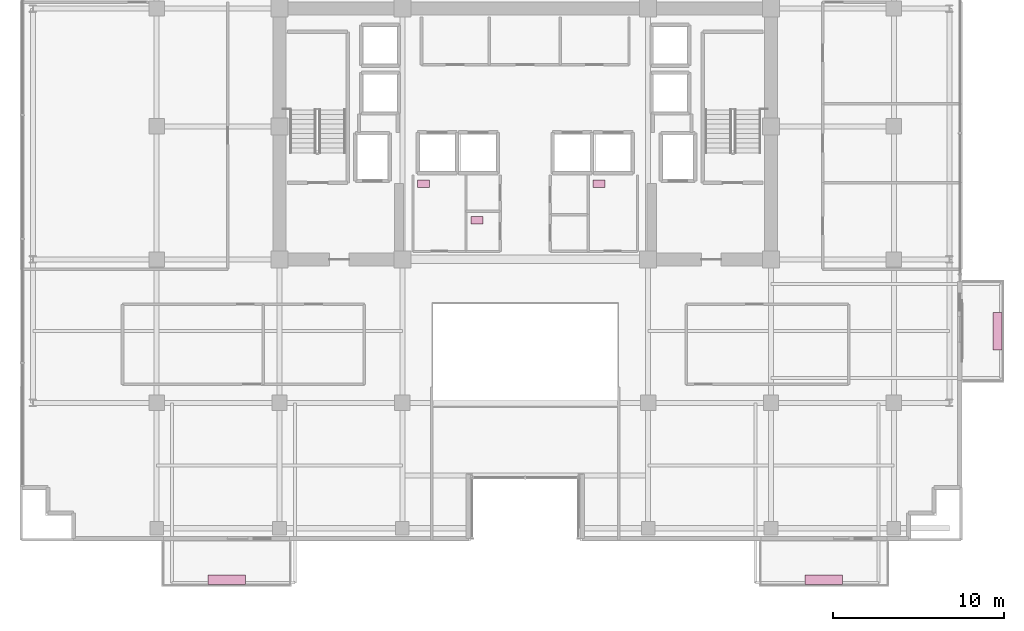
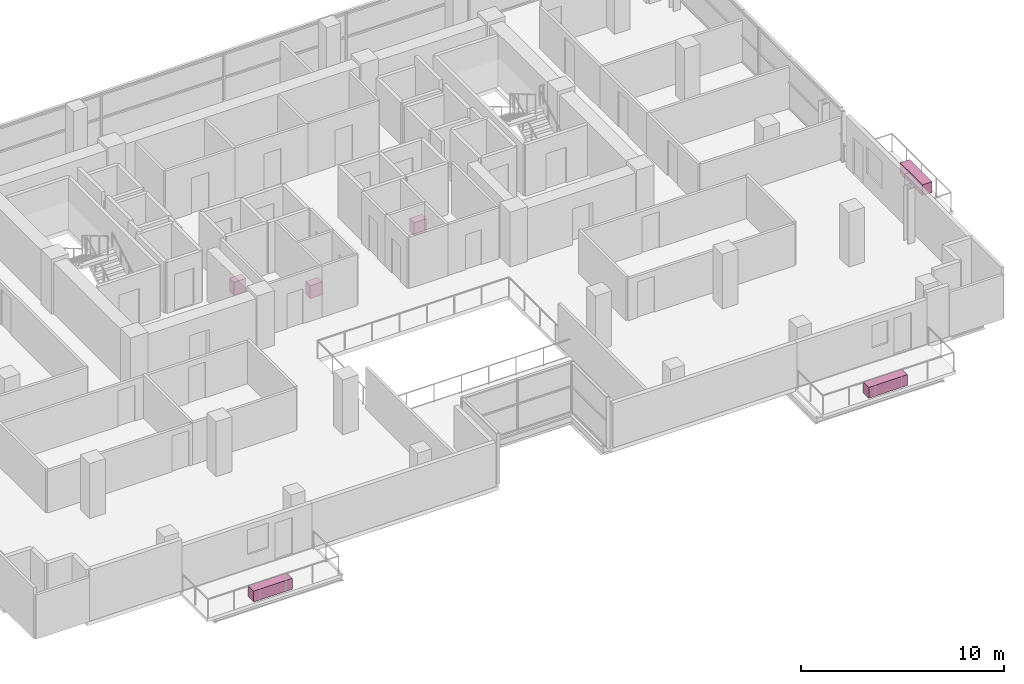
# One storey, part 25 of 25: 6 furnishings.
"""IFC4 building model written with IfcOpenShell, lengths in metres."""

from ifc_helpers import new_model, si_unit, direction, frame, origin, origin_2d, place, context, subcontext, project, spatial, rectangle, extrude, source, transform, mapped, material, type_object, element, save


model = new_model("IFC4")

# Units and contexts
model_context = context("Model", 3, precision=1e-05, world=origin(), true_north=direction((0.0, 1.0)))
body_context = subcontext(model_context, "Body", "Model", "MODEL_VIEW")
ifc_project = project(units=[si_unit("LENGTHUNIT", "METRE"), si_unit("AREAUNIT", "SQUARE_METRE"), si_unit("VOLUMEUNIT", "CUBIC_METRE"), si_unit("PLANEANGLEUNIT", "RADIAN"), si_unit("MASSUNIT", "GRAM", prefix="KILO")], contexts=[model_context])

# Site, building, storey
site_placement = place(None, origin())
site = spatial("IfcSite", under=ifc_project, at=site_placement, CompositionType="ELEMENT")
building_placement = place(site_placement, origin())
building = spatial("IfcBuilding", under=site, at=building_placement, Name="Zarnakvel Exchange Tower", CompositionType="ELEMENT")
storey_placement = place(building_placement, frame((0.0, 0.0, 100.0)))
storey = spatial("IfcBuildingStorey", under=building, at=storey_placement, Name="L27", CompositionType="ELEMENT", Elevation=100.0)

# Furnishings
ifc_material_1 = material(Name="Architectural Bronze Anodised Aluminium", Category="aluminium")
furnishing_element_type_1 = type_object("IfcFurnishingElementType", Name="PLNT-01", material=ifc_material_1)
shared_shape_1 = source(origin(), body_context, "Body", "SweptSolid", [
    extrude(rectangle(XDim=2.199951171875, YDim=0.550048828125, at=origin_2d()), origin(), (0.0, 0.0, 1.0), 0.64990234375),
])
for number, where, z_axis, x_axis, name in (
    (1, (-17.5, -19.969970703125, -0.034912109375), (0.0, 0.0, 1.0), (1.0, 0.0, 0.0), "L27 Balcony Greenery Planter BAL-L27-SW"),
    (2, (17.5, -19.969970703125, -0.034912109375), (0.0, 0.0, 1.0), (1.0, 0.0, 0.0), "L27 Balcony Greenery Planter BAL-L27-SE"),
    (3, (27.669921875, -5.39990234375, -0.034912109375), (0.0, 0.0, 1.0), (0.0, 1.0, 0.0), "L27 Balcony Greenery Planter BAL-L27-E"),
):
    element("IfcFurnishingElement", number, at=place(storey_placement, frame(where, z_axis=z_axis, x_axis=x_axis)), inside=storey, type_object=furnishing_element_type_1, Name=name, ObjectType="PLANTER", context=body_context, shape_type="MappedRepresentation", body=[
        mapped(shared_shape_1, transform((0.0, 0.0, 0.0), x_axis=(1.0, 0.0, 0.0), y_axis=(0.0, 1.0, 0.0), z_axis=(0.0, 0.0, 1.0), scale=1.0)),
    ])
ifc_material_2 = material(Name="Vitreous China Sanitaryware", Category="ceramic")
furnishing_element_type_2 = type_object("IfcFurnishingElementType", Name="SAN-WC", material=ifc_material_2)
shared_shape_2 = source(origin(), body_context, "Body", "SweptSolid", [
    extrude(rectangle(XDim=0.699951171875, YDim=0.449951171875, at=origin_2d()), origin(), (0.0, 0.0, 1.0), 0.780029296875),
])
for number, where, z_axis, x_axis, name in (
    (4, (-5.949951171875, 3.22998046875, 0.0), (0.0, 0.0, 1.0), (1.0, 0.0, 0.0), "L27 Sanitary Fixture (Male Toilet)"),
    (5, (-2.840087890625, 1.10009765625, 0.0), (0.0, 0.0, 1.0), (1.0, 0.0, 0.0), "L27 Sanitary Fixture (Accessible Toilet)"),
    (6, (4.31005859375, 3.22998046875, 0.0), (0.0, 0.0, 1.0), (1.0, 0.0, 0.0), "L27 Sanitary Fixture (Female Toilet)"),
):
    element("IfcFurnishingElement", number, at=place(storey_placement, frame(where, z_axis=z_axis, x_axis=x_axis)), inside=storey, type_object=furnishing_element_type_2, Name=name, ObjectType="SANITARY_FIXTURE", context=body_context, shape_type="MappedRepresentation", body=[
        mapped(shared_shape_2, transform((0.0, 0.0, 0.0), x_axis=(1.0, 0.0, 0.0), y_axis=(0.0, 1.0, 0.0), z_axis=(0.0, 0.0, 1.0), scale=1.0)),
    ])

save(model, "model.ifc")
